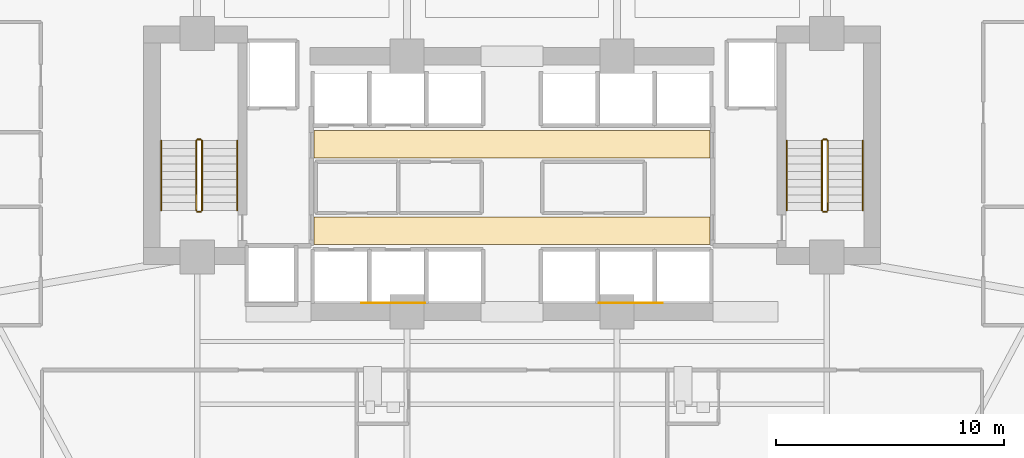
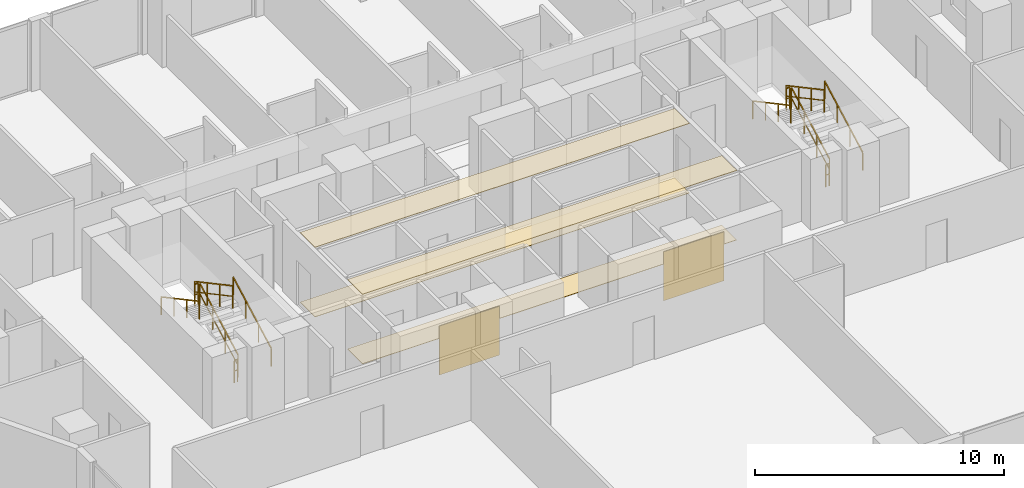
# One storey, part 26 of 28: 12 railings, 6 coverings.
"""IFC4 building model written with IfcOpenShell, lengths in metres."""

from ifc_helpers import new_model, si_unit, direction, frame, origin, origin_2d, place, context, subcontext, project, spatial, polyline, rectangle, outline, extrude, material, layer, layer_set, type_object, element, save


model = new_model("IFC4")

# Units and contexts
model_context = context("Model", 3, precision=1e-05, world=origin(), true_north=direction((0.0, 1.0)))
body_context = subcontext(model_context, "Body", "Model", "MODEL_VIEW")
ifc_project = project(units=[si_unit("LENGTHUNIT", "METRE"), si_unit("AREAUNIT", "SQUARE_METRE"), si_unit("VOLUMEUNIT", "CUBIC_METRE"), si_unit("PLANEANGLEUNIT", "RADIAN"), si_unit("MASSUNIT", "GRAM", prefix="KILO")], contexts=[model_context])

# Site, building, storey
site_placement = place(None, origin())
site = spatial("IfcSite", under=ifc_project, at=site_placement, CompositionType="ELEMENT")
building_placement = place(site_placement, origin())
building = spatial("IfcBuilding", under=site, at=building_placement, Name="Zuhayl Quay Hotel", CompositionType="ELEMENT")
storey_placement = place(building_placement, frame((0.0, 0.0, 110.25)))
storey = spatial("IfcBuildingStorey", under=building, at=storey_placement, Name="L27", CompositionType="ELEMENT", Elevation=110.25)

# Coverings
ifc_material_1 = material(Name="Acoustic Mineral-Fibre Gypsum Board")
ifc_layer_1 = layer(ifc_material_1, 0.02490234375, Name="Acoustic Mineral-Fibre Gypsum Board")
ifc_layer_set_1 = layer_set([ifc_layer_1], Name="Acoustic Mineral-Fibre Gypsum Board")
covering_type_1 = type_object("IfcCoveringType", Name="CV_CEIL_ACOUSTIC", PredefinedType="CEILING", material=ifc_layer_set_1)
covering_1_placement = place(storey_placement, frame((0.0, 0.0, 3.405029296875)))
element("IfcCovering", 1, at=covering_1_placement, inside=storey, type_object=covering_type_1, Name="L27 Suspended Acoustic Lobby Ceiling S", PredefinedType="CEILING", context=body_context, shape_type="SweptSolid", body=[
    extrude(outline(polyline([(-8.679931640625, 5.10009765625), (8.679931640625, 5.10009765625), (8.679931640625, 6.300048828125), (-8.679931640625, 6.300048828125), (-8.679931640625, 5.10009765625)])), origin(), (0.0, 0.0, 1.0), 0.02490234375),
])
covering_2_placement = place(storey_placement, frame((0.0, 0.0, 3.405029296875)))
element("IfcCovering", 2, at=covering_2_placement, inside=storey, type_object=covering_type_1, Name="L27 Suspended Acoustic Lobby Ceiling N", PredefinedType="CEILING", context=body_context, shape_type="SweptSolid", body=[
    extrude(outline(polyline([(-8.679931640625, 8.89990234375), (8.679931640625, 8.89990234375), (8.679931640625, 10.10009765625), (-8.679931640625, 10.10009765625), (-8.679931640625, 8.89990234375)])), origin(), (0.0, 0.0, 1.0), 0.02490234375),
])
ifc_material_2 = material(Name="Polished Limestone Terrazzo", Category="masonry")
ifc_layer_2 = layer(ifc_material_2, 0.02001953125, Name="Polished Limestone Terrazzo", Category="masonry")
ifc_layer_set_2 = layer_set([ifc_layer_2], Name="Polished Limestone Terrazzo")
covering_type_2 = type_object("IfcCoveringType", Name="CV_FLOOR_TERRAZZO", PredefinedType="FLOORING", material=ifc_layer_set_2)
covering_3_placement = place(storey_placement, origin())
element("IfcCovering", 3, at=covering_3_placement, inside=storey, type_object=covering_type_2, Name="L27 Honed Limestone Terrazzo Lobby Flooring S", PredefinedType="FLOORING", context=body_context, shape_type="SweptSolid", body=[
    extrude(outline(polyline([(-8.679931640625, 5.10009765625), (8.679931640625, 5.10009765625), (8.679931640625, 6.300048828125), (-8.679931640625, 6.300048828125), (-8.679931640625, 5.10009765625)])), origin(), (0.0, 0.0, 1.0), 0.02001953125),
])
covering_4_placement = place(storey_placement, origin())
element("IfcCovering", 4, at=covering_4_placement, inside=storey, type_object=covering_type_2, Name="L27 Honed Limestone Terrazzo Lobby Flooring N", PredefinedType="FLOORING", context=body_context, shape_type="SweptSolid", body=[
    extrude(outline(polyline([(-8.679931640625, 8.89990234375), (8.679931640625, 8.89990234375), (8.679931640625, 10.10009765625), (-8.679931640625, 10.10009765625), (-8.679931640625, 8.89990234375)])), origin(), (0.0, 0.0, 1.0), 0.02001953125),
])
ifc_material_3 = material(Name="Acoustic Walnut Feature Timber", Category="wood")
ifc_layer_3 = layer(ifc_material_3, 0.02197265625, Name="Acoustic Walnut Feature Timber", Category="wood")
ifc_layer_set_3 = layer_set([ifc_layer_3], Name="Acoustic Walnut Feature Timber")
covering_type_3 = type_object("IfcCoveringType", Name="CV_WALL_CLAD", PredefinedType="CLADDING", material=ifc_layer_set_3)
for number, where, z_axis, x_axis, name in (
    (5, (-5.199951171875, 2.535888671875, 0.300048828125), (0.0, 0.0, 1.0), (1.0, 0.0, 0.0), "L27 Feature Lobby Walnut Wall Cladding W"),
    (6, (5.199951171875, 2.535888671875, 0.300048828125), (0.0, 0.0, 1.0), (1.0, 0.0, 0.0), "L27 Feature Lobby Walnut Wall Cladding E"),
):
    element("IfcCovering", number, at=place(storey_placement, frame(where, z_axis=z_axis, x_axis=x_axis)), inside=storey, type_object=covering_type_3, Name=name, PredefinedType="CLADDING", context=body_context, shape_type="SweptSolid", body=[
        extrude(rectangle(XDim=2.800048828125, YDim=0.02197265625, at=origin_2d()), origin(), (0.0, 0.0, 1.0), 2.39990234375),
    ])

# Railings
ifc_material_4 = material(Name="Steel ASTM A992 Grade 50", Category="steel")
railing_type_1 = type_object("IfcRailingType", Name="RL_GUARD_1100", PredefinedType="GUARDRAIL", material=ifc_material_4)
railing_1_placement = place(storey_placement, frame((-13.590087890625, 6.590087890625, 0.1826171875)))
element("IfcRailing", 7, at=railing_1_placement, inside=storey, type_object=railing_type_1, Name="L27 ST1 stair guard 1", PredefinedType="GUARDRAIL", context=body_context, shape_type="SweptSolid", body=[
    extrude(rectangle(XDim=0.048095703125, YDim=0.048095703125, at=origin_2d()), frame((0.0, 0.0, 1.09619140625), z_axis=(0.0, 0.881102395774, 0.472925541879), x_axis=(-1.0, 0.0, 0.0)), (0.0, 0.0, 1.0), 3.47265625),
    extrude(rectangle(XDim=0.0361328125, YDim=0.0361328125, at=origin_2d()), frame((0.0, 0.0, 0.58251953125), z_axis=(0.0, 0.881102395774, 0.472925541879), x_axis=(-1.0, 0.0, 0.0)), (0.0, 0.0, 1.0), 3.47265625),
    extrude(rectangle(XDim=0.0419921875, YDim=0.0419921875, at=origin_2d()), origin(), (0.0, 0.0, 1.0), 1.072021484375),
    extrude(rectangle(XDim=0.0419921875, YDim=0.0419921875, at=origin_2d()), frame((0.0, 1.02001953125, 0.54736328125)), (0.0, 0.0, 1.0), 1.072021484375),
    extrude(rectangle(XDim=0.0419921875, YDim=0.0419921875, at=origin_2d()), frame((0.0, 2.039794921875, 1.094970703125)), (0.0, 0.0, 1.0), 1.072021484375),
    extrude(rectangle(XDim=0.0419921875, YDim=0.0419921875, at=origin_2d()), frame((0.0, 3.059814453125, 1.642333984375)), (0.0, 0.0, 1.0), 1.072021484375),
])
railing_2_placement = place(storey_placement, frame((-13.639892578125, 9.699951171875, 1.824951171875)))
element("IfcRailing", 8, at=railing_2_placement, inside=storey, type_object=railing_type_1, Name="L27 ST1 stair guard 2", PredefinedType="GUARDRAIL", context=body_context, shape_type="SweptSolid", body=[
    extrude(rectangle(XDim=0.048095703125, YDim=0.048095703125, at=origin_2d()), frame((0.0, 0.0, 1.09619140625), z_axis=(-1.0, 0.0, 0.0), x_axis=(0.0, -1.0, 0.0)), (0.0, 0.0, 1.0), 0.150146484375),
    extrude(rectangle(XDim=0.0361328125, YDim=0.0361328125, at=origin_2d()), frame((0.0, 0.0, 0.58251953125), z_axis=(-1.0, 0.0, 0.0), x_axis=(0.0, -1.0, 0.0)), (0.0, 0.0, 1.0), 0.150146484375),
    extrude(rectangle(XDim=0.0419921875, YDim=0.0419921875, at=origin_2d()), origin(), (0.0, 0.0, 1.0), 1.072021484375),
    extrude(rectangle(XDim=0.0419921875, YDim=0.0419921875, at=origin_2d()), frame((-0.150146484375, 0.0, 0.0)), (0.0, 0.0, 1.0), 1.072021484375),
])
railing_3_placement = place(storey_placement, frame((-13.840087890625, 9.64990234375, 2.007568359375)))
element("IfcRailing", 9, at=railing_3_placement, inside=storey, type_object=railing_type_1, Name="L27 ST1 stair guard 3", PredefinedType="GUARDRAIL", context=body_context, shape_type="SweptSolid", body=[
    extrude(rectangle(XDim=0.048095703125, YDim=0.048095703125, at=origin_2d()), frame((0.0, 0.0, 1.09619140625), z_axis=(0.0, -0.881102395774, 0.472925541879), x_axis=(1.0, 0.0, 0.0)), (0.0, 0.0, 1.0), 3.47265625),
    extrude(rectangle(XDim=0.0361328125, YDim=0.0361328125, at=origin_2d()), frame((0.0, 0.0, 0.58251953125), z_axis=(0.0, -0.881102395774, 0.472925541879), x_axis=(1.0, 0.0, 0.0)), (0.0, 0.0, 1.0), 3.47265625),
    extrude(rectangle(XDim=0.0419921875, YDim=0.0419921875, at=origin_2d()), origin(), (0.0, 0.0, 1.0), 1.072021484375),
    extrude(rectangle(XDim=0.0419921875, YDim=0.0419921875, at=origin_2d()), frame((0.0, -1.02001953125, 0.54736328125)), (0.0, 0.0, 1.0), 1.072021484375),
    extrude(rectangle(XDim=0.0419921875, YDim=0.0419921875, at=origin_2d()), frame((0.0, -2.039794921875, 1.094970703125)), (0.0, 0.0, 1.0), 1.072021484375),
    extrude(rectangle(XDim=0.0419921875, YDim=0.0419921875, at=origin_2d()), frame((0.0, -3.059814453125, 1.642333984375)), (0.0, 0.0, 1.0), 1.072021484375),
])
railing_4_placement = place(storey_placement, frame((-13.639892578125, 6.5400390625, 0.0)))
element("IfcRailing", 10, at=railing_4_placement, inside=storey, type_object=railing_type_1, Name="L27 ST1 stair guard 4", PredefinedType="GUARDRAIL", context=body_context, shape_type="SweptSolid", body=[
    extrude(rectangle(XDim=0.048095703125, YDim=0.048095703125, at=origin_2d()), frame((0.0, 0.0, 1.09619140625), z_axis=(-1.0, 0.0, 0.0), x_axis=(0.0, -1.0, 0.0)), (0.0, 0.0, 1.0), 0.150146484375),
    extrude(rectangle(XDim=0.0361328125, YDim=0.0361328125, at=origin_2d()), frame((0.0, 0.0, 0.58251953125), z_axis=(-1.0, 0.0, 0.0), x_axis=(0.0, -1.0, 0.0)), (0.0, 0.0, 1.0), 0.150146484375),
    extrude(rectangle(XDim=0.0419921875, YDim=0.0419921875, at=origin_2d()), origin(), (0.0, 0.0, 1.0), 1.072021484375),
    extrude(rectangle(XDim=0.0419921875, YDim=0.0419921875, at=origin_2d()), frame((-0.150146484375, 0.0, 0.0)), (0.0, 0.0, 1.0), 1.072021484375),
])
railing_5_placement = place(storey_placement, frame((13.840087890625, 6.590087890625, 0.1826171875)))
element("IfcRailing", 11, at=railing_5_placement, inside=storey, type_object=railing_type_1, Name="L27 ST2 stair guard 1", PredefinedType="GUARDRAIL", context=body_context, shape_type="SweptSolid", body=[
    extrude(rectangle(XDim=0.048095703125, YDim=0.048095703125, at=origin_2d()), frame((0.0, 0.0, 1.09619140625), z_axis=(0.0, 0.881102395774, 0.472925541879), x_axis=(-1.0, 0.0, 0.0)), (0.0, 0.0, 1.0), 3.47265625),
    extrude(rectangle(XDim=0.0361328125, YDim=0.0361328125, at=origin_2d()), frame((0.0, 0.0, 0.58251953125), z_axis=(0.0, 0.881102395774, 0.472925541879), x_axis=(-1.0, 0.0, 0.0)), (0.0, 0.0, 1.0), 3.47265625),
    extrude(rectangle(XDim=0.0419921875, YDim=0.0419921875, at=origin_2d()), origin(), (0.0, 0.0, 1.0), 1.072021484375),
    extrude(rectangle(XDim=0.0419921875, YDim=0.0419921875, at=origin_2d()), frame((0.0, 1.02001953125, 0.54736328125)), (0.0, 0.0, 1.0), 1.072021484375),
    extrude(rectangle(XDim=0.0419921875, YDim=0.0419921875, at=origin_2d()), frame((0.0, 2.039794921875, 1.094970703125)), (0.0, 0.0, 1.0), 1.072021484375),
    extrude(rectangle(XDim=0.0419921875, YDim=0.0419921875, at=origin_2d()), frame((0.0, 3.059814453125, 1.642333984375)), (0.0, 0.0, 1.0), 1.072021484375),
])
railing_6_placement = place(storey_placement, frame((13.7900390625, 9.699951171875, 1.824951171875)))
element("IfcRailing", 12, at=railing_6_placement, inside=storey, type_object=railing_type_1, Name="L27 ST2 stair guard 2", PredefinedType="GUARDRAIL", context=body_context, shape_type="SweptSolid", body=[
    extrude(rectangle(XDim=0.048095703125, YDim=0.048095703125, at=origin_2d()), frame((0.0, 0.0, 1.09619140625), z_axis=(-1.0, 0.0, 0.0), x_axis=(0.0, -1.0, 0.0)), (0.0, 0.0, 1.0), 0.150146484375),
    extrude(rectangle(XDim=0.0361328125, YDim=0.0361328125, at=origin_2d()), frame((0.0, 0.0, 0.58251953125), z_axis=(-1.0, 0.0, 0.0), x_axis=(0.0, -1.0, 0.0)), (0.0, 0.0, 1.0), 0.150146484375),
    extrude(rectangle(XDim=0.0419921875, YDim=0.0419921875, at=origin_2d()), origin(), (0.0, 0.0, 1.0), 1.072021484375),
    extrude(rectangle(XDim=0.0419921875, YDim=0.0419921875, at=origin_2d()), frame((-0.150146484375, 0.0, 0.0)), (0.0, 0.0, 1.0), 1.072021484375),
])
railing_7_placement = place(storey_placement, frame((13.590087890625, 9.64990234375, 2.007568359375)))
element("IfcRailing", 13, at=railing_7_placement, inside=storey, type_object=railing_type_1, Name="L27 ST2 stair guard 3", PredefinedType="GUARDRAIL", context=body_context, shape_type="SweptSolid", body=[
    extrude(rectangle(XDim=0.048095703125, YDim=0.048095703125, at=origin_2d()), frame((0.0, 0.0, 1.09619140625), z_axis=(0.0, -0.881102395774, 0.472925541879), x_axis=(1.0, 0.0, 0.0)), (0.0, 0.0, 1.0), 3.47265625),
    extrude(rectangle(XDim=0.0361328125, YDim=0.0361328125, at=origin_2d()), frame((0.0, 0.0, 0.58251953125), z_axis=(0.0, -0.881102395774, 0.472925541879), x_axis=(1.0, 0.0, 0.0)), (0.0, 0.0, 1.0), 3.47265625),
    extrude(rectangle(XDim=0.0419921875, YDim=0.0419921875, at=origin_2d()), origin(), (0.0, 0.0, 1.0), 1.072021484375),
    extrude(rectangle(XDim=0.0419921875, YDim=0.0419921875, at=origin_2d()), frame((0.0, -1.02001953125, 0.54736328125)), (0.0, 0.0, 1.0), 1.072021484375),
    extrude(rectangle(XDim=0.0419921875, YDim=0.0419921875, at=origin_2d()), frame((0.0, -2.039794921875, 1.094970703125)), (0.0, 0.0, 1.0), 1.072021484375),
    extrude(rectangle(XDim=0.0419921875, YDim=0.0419921875, at=origin_2d()), frame((0.0, -3.059814453125, 1.642333984375)), (0.0, 0.0, 1.0), 1.072021484375),
])
railing_8_placement = place(storey_placement, frame((13.7900390625, 6.5400390625, 0.0)))
element("IfcRailing", 14, at=railing_8_placement, inside=storey, type_object=railing_type_1, Name="L27 ST2 stair guard 4", PredefinedType="GUARDRAIL", context=body_context, shape_type="SweptSolid", body=[
    extrude(rectangle(XDim=0.048095703125, YDim=0.048095703125, at=origin_2d()), frame((0.0, 0.0, 1.09619140625), z_axis=(-1.0, 0.0, 0.0), x_axis=(0.0, -1.0, 0.0)), (0.0, 0.0, 1.0), 0.150146484375),
    extrude(rectangle(XDim=0.0361328125, YDim=0.0361328125, at=origin_2d()), frame((0.0, 0.0, 0.58251953125), z_axis=(-1.0, 0.0, 0.0), x_axis=(0.0, -1.0, 0.0)), (0.0, 0.0, 1.0), 0.150146484375),
    extrude(rectangle(XDim=0.0419921875, YDim=0.0419921875, at=origin_2d()), origin(), (0.0, 0.0, 1.0), 1.072021484375),
    extrude(rectangle(XDim=0.0419921875, YDim=0.0419921875, at=origin_2d()), frame((-0.150146484375, 0.0, 0.0)), (0.0, 0.0, 1.0), 1.072021484375),
])
railing_type_2 = type_object("IfcRailingType", Name="RL_HANDRAIL_920", PredefinedType="HANDRAIL", material=ifc_material_4)
railing_9_placement = place(storey_placement, frame((-12.050048828125, 6.590087890625, 0.1826171875)))
element("IfcRailing", 15, at=railing_9_placement, inside=storey, type_object=railing_type_2, Name="L27 ST1 stair handrail 1", PredefinedType="HANDRAIL", context=body_context, shape_type="SweptSolid", body=[
    extrude(rectangle(XDim=0.048095703125, YDim=0.048095703125, at=origin_2d()), frame((0.0, 0.0, 0.8759765625), z_axis=(0.0, 0.881102395774, 0.472925541879), x_axis=(-1.0, 0.0, 0.0)), (0.0, 0.0, 1.0), 3.47265625),
    extrude(rectangle(XDim=0.0419921875, YDim=0.0419921875, at=origin_2d()), origin(), (0.0, 0.0, 1.0), 0.851806640625),
    extrude(rectangle(XDim=0.0419921875, YDim=0.0419921875, at=origin_2d()), frame((0.0, 1.02001953125, 0.54736328125)), (0.0, 0.0, 1.0), 0.851806640625),
    extrude(rectangle(XDim=0.0419921875, YDim=0.0419921875, at=origin_2d()), frame((0.0, 2.039794921875, 1.094970703125)), (0.0, 0.0, 1.0), 0.851806640625),
    extrude(rectangle(XDim=0.0419921875, YDim=0.0419921875, at=origin_2d()), frame((0.0, 3.059814453125, 1.642333984375)), (0.0, 0.0, 1.0), 0.851806640625),
])
railing_10_placement = place(storey_placement, frame((-15.3798828125, 9.64990234375, 2.007568359375)))
element("IfcRailing", 16, at=railing_10_placement, inside=storey, type_object=railing_type_2, Name="L27 ST1 stair handrail 2", PredefinedType="HANDRAIL", context=body_context, shape_type="SweptSolid", body=[
    extrude(rectangle(XDim=0.048095703125, YDim=0.048095703125, at=origin_2d()), frame((0.0, 0.0, 0.8759765625), z_axis=(0.0, -0.881102395774, 0.472925541879), x_axis=(1.0, 0.0, 0.0)), (0.0, 0.0, 1.0), 3.47265625),
    extrude(rectangle(XDim=0.0419921875, YDim=0.0419921875, at=origin_2d()), origin(), (0.0, 0.0, 1.0), 0.851806640625),
    extrude(rectangle(XDim=0.0419921875, YDim=0.0419921875, at=origin_2d()), frame((0.0, -1.02001953125, 0.54736328125)), (0.0, 0.0, 1.0), 0.851806640625),
    extrude(rectangle(XDim=0.0419921875, YDim=0.0419921875, at=origin_2d()), frame((0.0, -2.039794921875, 1.094970703125)), (0.0, 0.0, 1.0), 0.851806640625),
    extrude(rectangle(XDim=0.0419921875, YDim=0.0419921875, at=origin_2d()), frame((0.0, -3.059814453125, 1.642333984375)), (0.0, 0.0, 1.0), 0.851806640625),
])
railing_11_placement = place(storey_placement, frame((15.3798828125, 6.590087890625, 0.1826171875)))
element("IfcRailing", 17, at=railing_11_placement, inside=storey, type_object=railing_type_2, Name="L27 ST2 stair handrail 1", PredefinedType="HANDRAIL", context=body_context, shape_type="SweptSolid", body=[
    extrude(rectangle(XDim=0.048095703125, YDim=0.048095703125, at=origin_2d()), frame((0.0, 0.0, 0.8759765625), z_axis=(0.0, 0.881102395774, 0.472925541879), x_axis=(-1.0, 0.0, 0.0)), (0.0, 0.0, 1.0), 3.47265625),
    extrude(rectangle(XDim=0.0419921875, YDim=0.0419921875, at=origin_2d()), origin(), (0.0, 0.0, 1.0), 0.851806640625),
    extrude(rectangle(XDim=0.0419921875, YDim=0.0419921875, at=origin_2d()), frame((0.0, 1.02001953125, 0.54736328125)), (0.0, 0.0, 1.0), 0.851806640625),
    extrude(rectangle(XDim=0.0419921875, YDim=0.0419921875, at=origin_2d()), frame((0.0, 2.039794921875, 1.094970703125)), (0.0, 0.0, 1.0), 0.851806640625),
    extrude(rectangle(XDim=0.0419921875, YDim=0.0419921875, at=origin_2d()), frame((0.0, 3.059814453125, 1.642333984375)), (0.0, 0.0, 1.0), 0.851806640625),
])
railing_12_placement = place(storey_placement, frame((12.050048828125, 9.64990234375, 2.007568359375)))
element("IfcRailing", 18, at=railing_12_placement, inside=storey, type_object=railing_type_2, Name="L27 ST2 stair handrail 2", PredefinedType="HANDRAIL", context=body_context, shape_type="SweptSolid", body=[
    extrude(rectangle(XDim=0.048095703125, YDim=0.048095703125, at=origin_2d()), frame((0.0, 0.0, 0.8759765625), z_axis=(0.0, -0.881102395774, 0.472925541879), x_axis=(1.0, 0.0, 0.0)), (0.0, 0.0, 1.0), 3.47265625),
    extrude(rectangle(XDim=0.0419921875, YDim=0.0419921875, at=origin_2d()), origin(), (0.0, 0.0, 1.0), 0.851806640625),
    extrude(rectangle(XDim=0.0419921875, YDim=0.0419921875, at=origin_2d()), frame((0.0, -1.02001953125, 0.54736328125)), (0.0, 0.0, 1.0), 0.851806640625),
    extrude(rectangle(XDim=0.0419921875, YDim=0.0419921875, at=origin_2d()), frame((0.0, -2.039794921875, 1.094970703125)), (0.0, 0.0, 1.0), 0.851806640625),
    extrude(rectangle(XDim=0.0419921875, YDim=0.0419921875, at=origin_2d()), frame((0.0, -3.059814453125, 1.642333984375)), (0.0, 0.0, 1.0), 0.851806640625),
])

save(model, "model.ifc")
